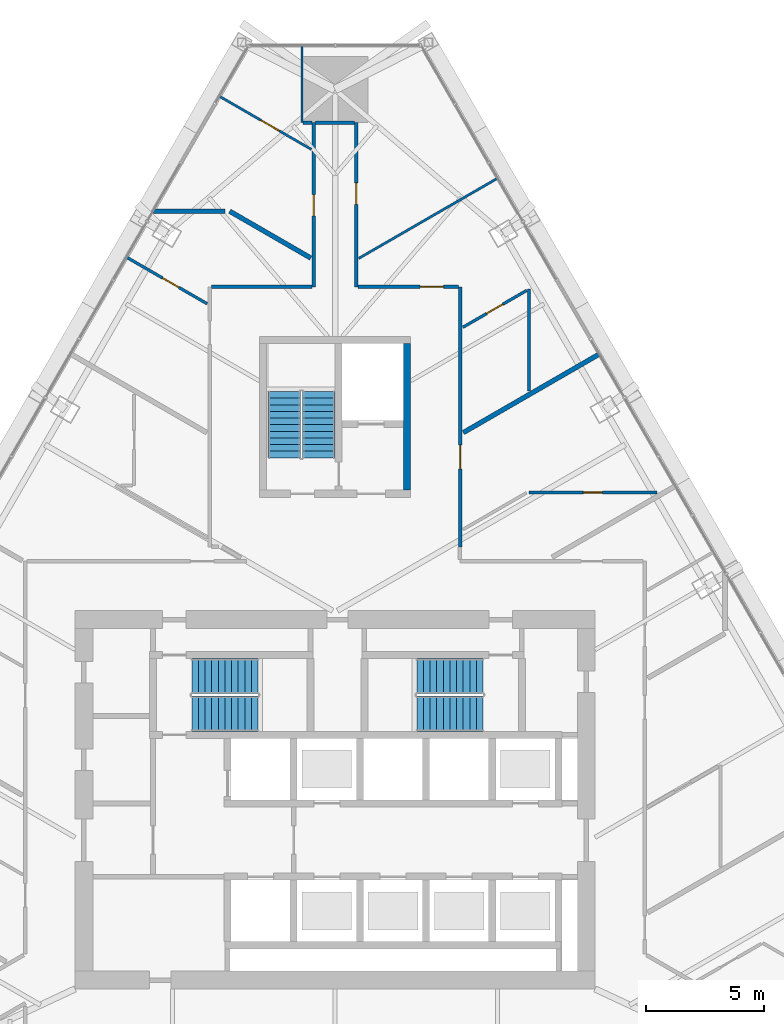
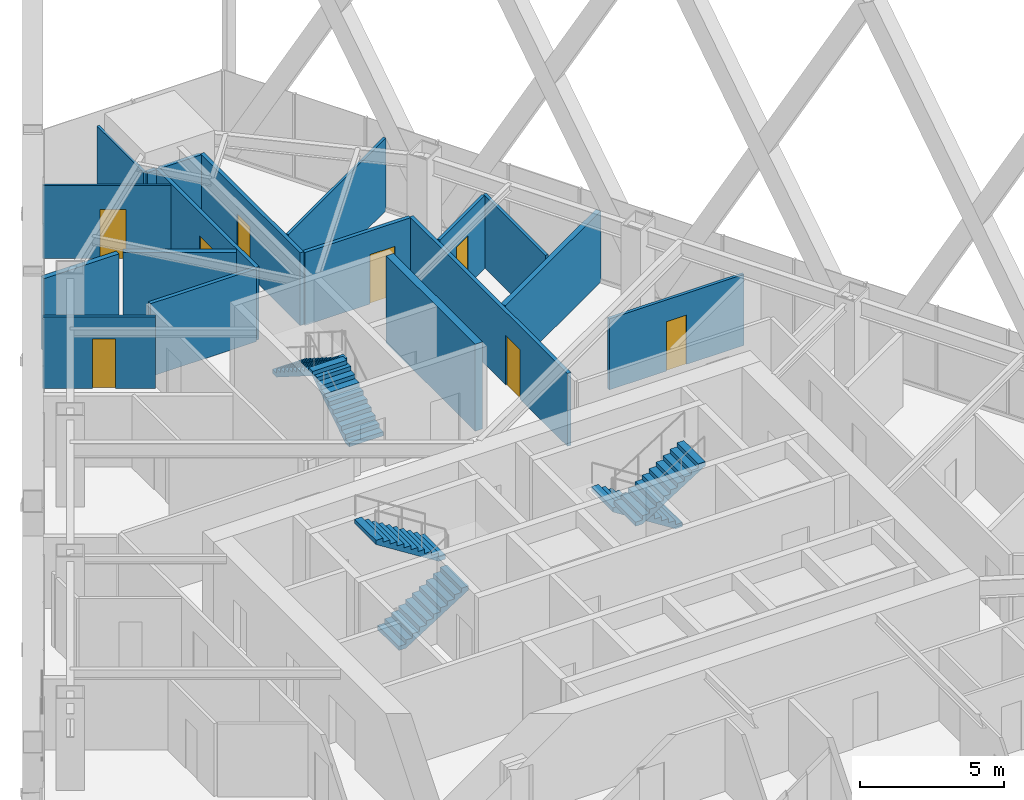
# One storey, part 21 of 23: 18 walls, 8 doors, 6 stair flights, 8 openings, 3 elements without a shape of their own.
"""IFC4 building model written with IfcOpenShell, lengths in metres."""

from ifc_helpers import new_model, si_unit, direction, frame, frame_2d, origin, place, context, subcontext, project, spatial, polyline, rectangle, outline, extrude, material, layer, layer_set, type_object, element, fill, aggregate, save


model = new_model("IFC4")

# Units and contexts
model_context = context("Model", 3, precision=1e-05, world=origin(), true_north=direction((0.0, 1.0)))
body_context = subcontext(model_context, "Body", "Model", "MODEL_VIEW")
ifc_project = project(units=[si_unit("LENGTHUNIT", "METRE"), si_unit("AREAUNIT", "SQUARE_METRE"), si_unit("VOLUMEUNIT", "CUBIC_METRE"), si_unit("PLANEANGLEUNIT", "RADIAN"), si_unit("MASSUNIT", "GRAM", prefix="KILO")], contexts=[model_context])

# Site, building, storey
site_placement = place(None, origin())
site = spatial("IfcSite", under=ifc_project, at=site_placement, CompositionType="ELEMENT")
building_placement = place(site_placement, origin())
building = spatial("IfcBuilding", under=site, at=building_placement, Name="Firuza Gate Tower and Library", CompositionType="ELEMENT")
storey_placement = place(building_placement, frame((0.0, 0.0, 202.60009765625)))
storey = spatial("IfcBuildingStorey", under=building, at=storey_placement, Name="L47", CompositionType="ELEMENT", Elevation=202.60009765625)

# Walls
ifc_material_1 = material(Name="Concrete C80/95", Category="concrete")
ifc_layer_1 = layer(ifc_material_1, 0.300048828125)
ifc_layer_set_1 = layer_set([ifc_layer_1], Name="Core wall 300 C80/95")
wall_type_1 = type_object("IfcWallType", Name="Core wall 300 C80/95", PredefinedType="SHEAR", material=ifc_layer_set_1)
wall_1_placement = place(storey_placement, frame((78.050048828125, 88.10009765625, 0.0), z_axis=(0.0, 0.0, 1.0), x_axis=(0.0, 1.0, 0.0)))
element("IfcWall", 1, at=wall_1_placement, inside=storey, type_object=wall_type_1, Name="Core wall L47 30", PredefinedType="SHEAR", context=body_context, shape_type="SweptSolid", body=[
    extrude(rectangle(XDim=6.199951171875, YDim=0.300048828125, at=frame_2d((3.10009765625, 0.0))), origin(), (0.0, 0.0, 1.0), 3.699951171875),
])
ifc_material_2 = material(Name="Gypsum board partition")
ifc_layer_2 = layer(ifc_material_2, 0.14990234375)
ifc_layer_set_2 = layer_set([ifc_layer_2], Name="Corridor wall 150 double board on steel studs")
wall_type_2 = type_object("IfcWallType", Name="Corridor wall 150 double board on steel studs", PredefinedType="PARTITIONING", material=ifc_layer_set_2)
wall_2_placement = place(storey_placement, frame((69.775390625, 96.699951171875, 0.0), z_axis=(0.0, 0.0, 1.0), x_axis=(1.0, 0.0, 0.0)))
element("IfcWall", 2, at=wall_2_placement, inside=storey, type_object=wall_type_2, Name="f:L47:w014", PredefinedType="PARTITIONING", context=body_context, shape_type="SweptSolid", body=[
    extrude(rectangle(XDim=4.24951171875, YDim=0.14990234375, at=frame_2d((2.124755859375, 0.0))), origin(), (0.0, 0.0, 1.0), 3.099853515625),
])

# Wall, opening, door
wall_3_placement = place(storey_placement, frame((75.97509765625, 96.699951171875, 0.0), z_axis=(0.0, 0.0, 1.0), x_axis=(1.0, 0.0, 0.0)))
wall_3 = element("IfcWall", 3, at=wall_3_placement, inside=storey, type_object=wall_type_2, Name="f:L47:w015", PredefinedType="PARTITIONING", context=body_context, shape_type="SweptSolid", body=[
    extrude(rectangle(XDim=4.24951171875, YDim=0.14990234375, at=frame_2d((2.124755859375, 0.0))), origin(), (0.0, 0.0, 1.0), 3.099853515625),
])
opening_1_placement = place(wall_3_placement, frame((2.6220703125, 0.0, 0.0)))
opening_1 = element("IfcOpeningElement", 4, at=opening_1_placement, cuts=wall_3, Name="Opening L47-12", PredefinedType="OPENING", context=body_context, shape_type="SweptSolid", body=[
    extrude(rectangle(XDim=1.0, YDim=2.10009765625, at=frame_2d((0.5, 1.050048828125))), frame((0.0, 0.0849609375, 0.0), z_axis=(0.0, -1.0, 0.0), x_axis=(1.0, 0.0, 0.0)), (0.0, 0.0, 1.0), 0.169921875),
])
ifc_material_3 = material(Name="Steel door and timber leaf", Category="steel")
door_type_1 = type_object("IfcDoorType", Name="Fire door 1000 x 2100 steel frame, timber leaf", OperationType="NOTDEFINED", PredefinedType="DOOR", material=ifc_material_3)
door_1_placement = place(opening_1_placement, origin())
door_1 = element("IfcDoor", 5, at=door_1_placement, inside=storey, type_object=door_type_1, Name="f:L47:d012", OperationType="SINGLE_SWING_LEFT", OverallHeight=2.10009765625, OverallWidth=1.0, PredefinedType="DOOR", context=body_context, shape_type="SweptSolid", body=[
    extrude(rectangle(XDim=1.0, YDim=2.10009765625, at=frame_2d((0.5, 1.050048828125))), frame((0.0, 0.02490234375, 0.0), z_axis=(0.0, -1.0, 0.0), x_axis=(1.0, 0.0, 0.0)), (0.0, 0.0, 1.0), 0.050048828125),
])
fill(opening_1, door_1)

# Wall
wall_4_placement = place(storey_placement, frame((73.650390625, 103.64794921875, 0.0), z_axis=(0.0, 0.0, 1.0), x_axis=(1.0, 0.0, 0.0)))
element("IfcWall", 6, at=wall_4_placement, inside=storey, type_object=wall_type_2, Name="f:L47:w017", PredefinedType="PARTITIONING", context=body_context, shape_type="SweptSolid", body=[
    extrude(rectangle(XDim=0.37451171875, YDim=0.14990234375, at=frame_2d((0.187255859375, 0.0))), origin(), (0.0, 0.0, 1.0), 3.099853515625),
])

# Wall, opening, door
wall_5_placement = place(storey_placement, frame((80.300048828125, 96.699462890625, 0.0), z_axis=(0.0, 0.0, 1.0), x_axis=(0.0, -1.0, 0.0)))
wall_5 = element("IfcWall", 7, at=wall_5_placement, inside=storey, type_object=wall_type_2, Name="f:L47:w050", PredefinedType="PARTITIONING", context=body_context, shape_type="SweptSolid", body=[
    extrude(rectangle(XDim=10.9990234375, YDim=0.14990234375, at=frame_2d((5.49951171875, 0.0))), origin(), (0.0, 0.0, 1.0), 3.096923828125),
])
opening_2_placement = place(wall_5_placement, frame((6.697021484375, 0.0, 0.0)))
opening_2 = element("IfcOpeningElement", 8, at=opening_2_placement, cuts=wall_5, Name="Opening L47-27", PredefinedType="OPENING", context=body_context, shape_type="SweptSolid", body=[
    extrude(rectangle(XDim=1.0, YDim=2.10009765625, at=frame_2d((0.5, 1.050048828125))), frame((0.0, 0.0849609375, 0.0), z_axis=(0.0, -1.0, 0.0), x_axis=(1.0, 0.0, 0.0)), (0.0, 0.0, 1.0), 0.169921875),
])
door_2_placement = place(opening_2_placement, origin())
door_2 = element("IfcDoor", 9, at=door_2_placement, inside=storey, type_object=door_type_1, Name="f:L47:d027", OperationType="SINGLE_SWING_RIGHT", OverallHeight=2.10009765625, OverallWidth=1.0, PredefinedType="DOOR", context=body_context, shape_type="SweptSolid", body=[
    extrude(rectangle(XDim=1.0, YDim=2.10009765625, at=frame_2d((0.5, 1.050048828125))), frame((0.0, 0.02490234375, 0.0), z_axis=(0.0, -1.0, 0.0), x_axis=(1.0, 0.0, 0.0)), (0.0, 0.0, 1.0), 0.050048828125),
])
fill(opening_2, door_2)

wall_6_placement = place(storey_placement, frame((75.89990234375, 103.6474609375, 0.0), z_axis=(0.0, 0.0, 1.0), x_axis=(0.0, -1.0, 0.0)))
wall_6 = element("IfcWall", 10, at=wall_6_placement, inside=storey, type_object=wall_type_2, Name="f:L47:w053", PredefinedType="PARTITIONING", context=body_context, shape_type="SweptSolid", body=[
    extrude(rectangle(XDim=6.947509765625, YDim=0.14990234375, at=frame_2d((3.4736328125, 0.0))), origin(), (0.0, 0.0, 1.0), 3.099853515625),
])
opening_3_placement = place(wall_6_placement, frame((2.5517578125, 0.0, 0.0)))
opening_3 = element("IfcOpeningElement", 11, at=opening_3_placement, cuts=wall_6, Name="Opening L47-28", PredefinedType="OPENING", context=body_context, shape_type="SweptSolid", body=[
    extrude(rectangle(XDim=0.89990234375, YDim=2.10009765625, at=frame_2d((0.449951171875, 1.050048828125))), frame((0.0, 0.0849609375, 0.0), z_axis=(0.0, -1.0, 0.0), x_axis=(1.0, 0.0, 0.0)), (0.0, 0.0, 1.0), 0.169921875),
])
ifc_material_4 = material(Name="Steel door and timber leaf", Category="steel")
door_type_2 = type_object("IfcDoorType", Name="Fire door 900 x 2100 steel frame, timber leaf", OperationType="NOTDEFINED", PredefinedType="DOOR", material=ifc_material_4)
door_3_placement = place(opening_3_placement, origin())
door_3 = element("IfcDoor", 12, at=door_3_placement, inside=storey, type_object=door_type_2, Name="f:L47:d028", OperationType="SINGLE_SWING_RIGHT", OverallHeight=2.10009765625, OverallWidth=0.89990234375, PredefinedType="DOOR", context=body_context, shape_type="SweptSolid", body=[
    extrude(rectangle(XDim=0.89990234375, YDim=2.10009765625, at=frame_2d((0.449951171875, 1.050048828125))), frame((0.0, 0.02490234375, 0.0), z_axis=(0.0, -1.0, 0.0), x_axis=(1.0, 0.0, 0.0)), (0.0, 0.0, 1.0), 0.050048828125),
])
fill(opening_3, door_3)

wall_7_placement = place(storey_placement, frame((74.10009765625, 96.699951171875, 0.0), z_axis=(0.0, 0.0, 1.0), x_axis=(0.0, 1.0, 0.0)))
wall_7 = element("IfcWall", 13, at=wall_7_placement, inside=storey, type_object=wall_type_2, Name="f:L47:w055", PredefinedType="PARTITIONING", context=body_context, shape_type="SweptSolid", body=[
    extrude(rectangle(XDim=6.947998046875, YDim=0.14990234375, at=frame_2d((3.47412109375, 0.0))), origin(), (0.0, 0.0, 1.0), 3.099853515625),
])
opening_4_placement = place(wall_7_placement, frame((3.002197265625, 0.0, 0.0)))
opening_4 = element("IfcOpeningElement", 14, at=opening_4_placement, cuts=wall_7, Name="Opening L47-29", PredefinedType="OPENING", context=body_context, shape_type="SweptSolid", body=[
    extrude(rectangle(XDim=0.89990234375, YDim=2.10009765625, at=frame_2d((0.449951171875, 1.050048828125))), frame((0.0, 0.0849609375, 0.0), z_axis=(0.0, -1.0, 0.0), x_axis=(1.0, 0.0, 0.0)), (0.0, 0.0, 1.0), 0.169921875),
])
door_4_placement = place(opening_4_placement, origin())
door_4 = element("IfcDoor", 15, at=door_4_placement, inside=storey, type_object=door_type_2, Name="f:L47:d029", OperationType="SINGLE_SWING_LEFT", OverallHeight=2.10009765625, OverallWidth=0.89990234375, PredefinedType="DOOR", context=body_context, shape_type="SweptSolid", body=[
    extrude(rectangle(XDim=0.89990234375, YDim=2.10009765625, at=frame_2d((0.449951171875, 1.050048828125))), frame((0.0, 0.02490234375, 0.0), z_axis=(0.0, -1.0, 0.0), x_axis=(1.0, 0.0, 0.0)), (0.0, 0.0, 1.0), 0.050048828125),
])
fill(opening_4, door_4)

# Walls
wall_8_placement = place(storey_placement, frame((74.175048828125, 103.64794921875, 0.0), z_axis=(0.0, 0.0, 1.0), x_axis=(1.0, 0.0, 0.0)))
element("IfcWall", 16, at=wall_8_placement, inside=storey, type_object=wall_type_2, Name="f:L47:w095", PredefinedType="PARTITIONING", context=body_context, shape_type="SweptSolid", body=[
    extrude(rectangle(XDim=1.6494140625, YDim=0.14990234375, at=frame_2d((0.82470703125, 0.0))), origin(), (0.0, 0.0, 1.0), 3.096923828125),
])
ifc_material_5 = material(Name="Gypsum board partition")
ifc_layer_3 = layer(ifc_material_5, 0.199951171875)
ifc_layer_set_3 = layer_set([ifc_layer_3], Name="Demising wall 200 acoustic double stud")
wall_type_3 = type_object("IfcWallType", Name="Demising wall 200 acoustic double stud", PredefinedType="PARTITIONING", material=ifc_layer_set_3)
wall_9_placement = place(storey_placement, frame((67.3193359375, 99.89990234375, 0.0), z_axis=(0.0, 0.0, 1.0), x_axis=(1.0, 0.0, 0.0)))
element("IfcWall", 17, at=wall_9_placement, inside=storey, type_object=wall_type_3, Name="f:L47:w016", PredefinedType="PARTITIONING", context=body_context, shape_type="SweptSolid", body=[
    extrude(rectangle(XDim=3.0244140625, YDim=0.199951171875, at=frame_2d((1.51220703125, 0.0))), origin(), (0.0, 0.0, 1.0), 3.099853515625),
])
wall_10_placement = place(storey_placement, frame((80.427001953125, 90.537109375, 0.0), z_axis=(0.0, 0.0, 1.0), x_axis=(0.866026229868, 0.499998569178, 0.0)))
element("IfcWall", 18, at=wall_10_placement, inside=storey, type_object=wall_type_3, Name="f:L47:w034", PredefinedType="PARTITIONING", context=body_context, shape_type="SweptSolid", body=[
    extrude(rectangle(XDim=6.63330078125, YDim=0.199951171875, at=frame_2d((3.316650390625, 0.0))), origin(), (0.0, 0.0, 1.0), 3.02197265625),
])
wall_11_placement = place(storey_placement, frame((73.97314453125, 97.920166015625, 0.0), z_axis=(0.0, 0.0, 1.0), x_axis=(-0.866011036969, 0.500024883228, 0.0)))
element("IfcWall", 19, at=wall_11_placement, inside=storey, type_object=wall_type_3, Name="f:L47:w076", PredefinedType="PARTITIONING", context=body_context, shape_type="SweptSolid", body=[
    extrude(rectangle(XDim=3.959716796875, YDim=0.199951171875, at=frame_2d((1.97998046875, 0.0))), origin(), (0.0, 0.0, 1.0), 3.099853515625),
])
ifc_material_6 = material(Name="Gypsum board partition")
ifc_layer_4 = layer(ifc_material_6, 0.10009765625)
ifc_layer_set_4 = layer_set([ifc_layer_4], Name="Partition 100 gypsum board on steel studs")
wall_type_4 = type_object("IfcWallType", Name="Partition 100 gypsum board on steel studs", PredefinedType="PARTITIONING", material=ifc_layer_set_4)
wall_12_placement = place(storey_placement, frame((76.0009765625, 97.9052734375, 0.0), z_axis=(0.0, 0.0, 1.0), x_axis=(0.866023732449, 0.500002894826, 0.0)))
element("IfcWall", 20, at=wall_12_placement, inside=storey, type_object=wall_type_4, Name="f:L47:w036", PredefinedType="PARTITIONING", context=body_context, shape_type="SweptSolid", body=[
    extrude(rectangle(XDim=6.7822265625, YDim=0.10009765625, at=frame_2d((3.39111328125, 0.0))), origin(), (0.0, 0.0, 1.0), 3.099853515625),
])
wall_13_placement = place(storey_placement, frame((73.60009765625, 103.6484375, 0.0), z_axis=(0.0, 0.0, 1.0), x_axis=(0.0, 1.0, 0.0)))
element("IfcWall", 21, at=wall_13_placement, inside=storey, type_object=wall_type_4, Name="f:L47:w057", PredefinedType="PARTITIONING", context=body_context, shape_type="SweptSolid", body=[
    extrude(rectangle(XDim=3.259521484375, YDim=0.10009765625, at=frame_2d((1.6298828125, 0.0))), origin(), (0.0, 0.0, 1.0), 3.099853515625),
])

# Wall, opening, door
wall_14_placement = place(storey_placement, frame((73.999267578125, 102.515869140625, 0.0), z_axis=(0.0, 0.0, 1.0), x_axis=(-0.866023033614, 0.500004105233, 0.0)))
wall_14 = element("IfcWall", 22, at=wall_14_placement, inside=storey, type_object=wall_type_4, Name="f:L47:w075", PredefinedType="PARTITIONING", context=body_context, shape_type="SweptSolid", body=[
    extrude(rectangle(XDim=4.47705078125, YDim=0.10009765625, at=frame_2d((2.238525390625, 0.0))), origin(), (0.0, 0.0, 1.0), 3.099853515625),
])
opening_5_placement = place(wall_14_placement, frame((1.570068359375, 0.0, 0.0)))
opening_5 = element("IfcOpeningElement", 23, at=opening_5_placement, cuts=wall_14, Name="Opening L47-37", PredefinedType="OPENING", context=body_context, shape_type="SweptSolid", body=[
    extrude(rectangle(XDim=0.89990234375, YDim=2.10009765625, at=frame_2d((0.449951171875, 1.050048828125))), frame((0.0, 0.06005859375, 0.0), z_axis=(0.0, -1.0, 0.0), x_axis=(1.0, 0.0, 0.0)), (0.0, 0.0, 1.0), 0.1201171875),
])
ifc_material_7 = material(Name="Timber door", Category="wood")
door_type_3 = type_object("IfcDoorType", Name="Door 900 x 2100 timber leaf", OperationType="NOTDEFINED", PredefinedType="DOOR", material=ifc_material_7)
door_5_placement = place(opening_5_placement, origin())
door_5 = element("IfcDoor", 24, at=door_5_placement, inside=storey, type_object=door_type_3, Name="f:L47:d037", OperationType="SINGLE_SWING_RIGHT", OverallHeight=2.10009765625, OverallWidth=0.89990234375, PredefinedType="DOOR", context=body_context, shape_type="SweptSolid", body=[
    extrude(rectangle(XDim=0.89990234375, YDim=2.10009765625, at=frame_2d((0.449951171875, 1.050048828125))), frame((0.0, 0.02490234375, 0.0), z_axis=(0.0, -1.0, 0.0), x_axis=(1.0, 0.0, 0.0)), (0.0, 0.0, 1.0), 0.050048828125),
])
fill(opening_5, door_5)

ifc_material_8 = material(Name="Gypsum board partition")
ifc_layer_5 = layer(ifc_material_8, 0.1201171875)
ifc_layer_set_5 = layer_set([ifc_layer_5], Name="Wet-area partition 120 moisture-resistant board")
wall_type_5 = type_object("IfcWallType", Name="Wet-area partition 120 moisture-resistant board", PredefinedType="PARTITIONING", material=ifc_layer_set_5)
wall_15_placement = place(storey_placement, frame((88.61279296875, 88.0, 0.0), z_axis=(0.0, 0.0, 1.0), x_axis=(-1.0, 0.0, 0.0)))
wall_15 = element("IfcWall", 25, at=wall_15_placement, inside=storey, type_object=wall_type_5, Name="f:L47:w012", PredefinedType="PARTITIONING", context=body_context, shape_type="SweptSolid", body=[
    extrude(rectangle(XDim=5.412353515625, YDim=0.1201171875, at=frame_2d((2.7060546875, 0.0))), origin(), (0.0, 0.0, 1.0), 3.02197265625),
])
opening_6_placement = place(wall_15_placement, frame((2.30615234375, 0.0, 0.0)))
opening_6 = element("IfcOpeningElement", 26, at=opening_6_placement, cuts=wall_15, Name="Opening L47-11", PredefinedType="OPENING", context=body_context, shape_type="SweptSolid", body=[
    extrude(rectangle(XDim=0.800048828125, YDim=2.10009765625, at=frame_2d((0.39990234375, 1.050048828125))), frame((0.0, 0.070068359375, 0.0), z_axis=(0.0, -1.0, 0.0), x_axis=(1.0, 0.0, 0.0)), (0.0, 0.0, 1.0), 0.14013671875),
])
ifc_material_9 = material(Name="Timber door", Category="wood")
door_type_4 = type_object("IfcDoorType", Name="Door 800 x 2100 timber leaf", OperationType="NOTDEFINED", PredefinedType="DOOR", material=ifc_material_9)
door_6_placement = place(opening_6_placement, origin())
door_6 = element("IfcDoor", 27, at=door_6_placement, inside=storey, type_object=door_type_4, Name="f:L47:d011", OperationType="SINGLE_SWING_LEFT", OverallHeight=2.10009765625, OverallWidth=0.800048828125, PredefinedType="DOOR", context=body_context, shape_type="SweptSolid", body=[
    extrude(rectangle(XDim=0.800048828125, YDim=2.10009765625, at=frame_2d((0.39990234375, 1.050048828125))), frame((0.0, 0.02490234375, 0.0), z_axis=(0.0, -1.0, 0.0), x_axis=(1.0, 0.0, 0.0)), (0.0, 0.0, 1.0), 0.050048828125),
])
fill(opening_6, door_6)

wall_16_placement = place(storey_placement, frame((83.10546875, 96.548828125, 0.0), z_axis=(0.0, 0.0, 1.0), x_axis=(-0.866028856698, -0.499994019331, 0.0)))
wall_16 = element("IfcWall", 28, at=wall_16_placement, inside=storey, type_object=wall_type_5, Name="f:L47:w035", PredefinedType="PARTITIONING", context=body_context, shape_type="SweptSolid", body=[
    extrude(rectangle(XDim=3.11279296875, YDim=0.1201171875, at=frame_2d((1.556396484375, 0.0))), origin(), (0.0, 0.0, 1.0), 3.099853515625),
])
opening_7_placement = place(wall_16_placement, frame((1.156494140625, 0.0, 0.0)))
opening_7 = element("IfcOpeningElement", 29, at=opening_7_placement, cuts=wall_16, Name="Opening L47-20", PredefinedType="OPENING", context=body_context, shape_type="SweptSolid", body=[
    extrude(rectangle(XDim=0.800048828125, YDim=2.10009765625, at=frame_2d((0.39990234375, 1.050048828125))), frame((0.0, 0.070068359375, 0.0), z_axis=(0.0, -1.0, 0.0), x_axis=(1.0, 0.0, 0.0)), (0.0, 0.0, 1.0), 0.14013671875),
])
door_7_placement = place(opening_7_placement, origin())
door_7 = element("IfcDoor", 30, at=door_7_placement, inside=storey, type_object=door_type_4, Name="f:L47:d020", OperationType="SINGLE_SWING_LEFT", OverallHeight=2.10009765625, OverallWidth=0.800048828125, PredefinedType="DOOR", context=body_context, shape_type="SweptSolid", body=[
    extrude(rectangle(XDim=0.800048828125, YDim=2.10009765625, at=frame_2d((0.39990234375, 1.050048828125))), frame((0.0, 0.02490234375, 0.0), z_axis=(0.0, -1.0, 0.0), x_axis=(1.0, 0.0, 0.0)), (0.0, 0.0, 1.0), 0.050048828125),
])
fill(opening_7, door_7)

# Wall
wall_17_placement = place(storey_placement, frame((83.199951171875, 92.293701171875, 0.0), z_axis=(0.0, 0.0, 1.0), x_axis=(0.0, 1.0, 0.0)))
element("IfcWall", 31, at=wall_17_placement, inside=storey, type_object=wall_type_5, Name="f:L47:w047", PredefinedType="PARTITIONING", context=body_context, shape_type="SweptSolid", body=[
    extrude(rectangle(XDim=4.31005859375, YDim=0.1201171875, at=frame_2d((2.155029296875, 0.0))), origin(), (0.0, 0.0, 1.0), 3.099853515625),
])

# Wall, opening, door
wall_18_placement = place(storey_placement, frame((66.19189453125, 97.947509765625, 0.0), z_axis=(0.0, 0.0, 1.0), x_axis=(0.866033299124, -0.499986324622, 0.0)))
wall_18 = element("IfcWall", 32, at=wall_18_placement, inside=storey, type_object=wall_type_5, Name="f:L47:w077", PredefinedType="PARTITIONING", context=body_context, shape_type="SweptSolid", body=[
    extrude(rectangle(XDim=3.92431640625, YDim=0.1201171875, at=frame_2d((1.962158203125, 0.0))), origin(), (0.0, 0.0, 1.0), 3.02197265625),
])
opening_8_placement = place(wall_18_placement, frame((1.7421875, 0.0, 0.0)))
opening_8 = element("IfcOpeningElement", 33, at=opening_8_placement, cuts=wall_18, Name="Opening L47-38", PredefinedType="OPENING", context=body_context, shape_type="SweptSolid", body=[
    extrude(rectangle(XDim=0.800048828125, YDim=2.10009765625, at=frame_2d((0.39990234375, 1.050048828125))), frame((0.0, 0.070068359375, 0.0), z_axis=(0.0, -1.0, 0.0), x_axis=(1.0, 0.0, 0.0)), (0.0, 0.0, 1.0), 0.14013671875),
])
door_8_placement = place(opening_8_placement, origin())
door_8 = element("IfcDoor", 34, at=door_8_placement, inside=storey, type_object=door_type_4, Name="f:L47:d038", OperationType="SINGLE_SWING_RIGHT", OverallHeight=2.10009765625, OverallWidth=0.800048828125, PredefinedType="DOOR", context=body_context, shape_type="SweptSolid", body=[
    extrude(rectangle(XDim=0.800048828125, YDim=2.10009765625, at=frame_2d((0.39990234375, 1.050048828125))), frame((0.0, 0.02490234375, 0.0), z_axis=(0.0, -1.0, 0.0), x_axis=(1.0, 0.0, 0.0)), (0.0, 0.0, 1.0), 0.050048828125),
])
fill(opening_8, door_8)

# Stair, stair flights
ifc_material_10 = material(Name="Concrete C35/45", Category="concrete")
stair_type_1 = type_object("IfcStairType", Name="Exit stair ST16", PredefinedType="HALF_TURN_STAIR", material=ifc_material_10)
placement = place(storey_placement, origin())
stair_1 = element("IfcStair", 35, at=placement, inside=storey, type_object=stair_type_1, Name="L47 Stair ST3", PredefinedType="HALF_TURN_STAIR")
ifc_material_11 = material(Name="Concrete C35/45", Category="concrete")
stair_flight_type_1 = type_object("IfcStairFlightType", Name="Stair flight 11 risers 177.3 width 1370", PredefinedType="STRAIGHT", material=ifc_material_11)
stair_flight_1_placement = place(storey_placement, frame((74.31494140625, 89.469970703125, 0.0), z_axis=(0.0, 0.0, 1.0), x_axis=(0.0, 1.0, 0.0)))
stair_flight_1 = element("IfcStairFlight", 36, at=stair_flight_1_placement, type_object=stair_flight_type_1, Name="ST3 flight 1", NumberOfRisers=11, NumberOfTreads=10, PredefinedType="STRAIGHT", RiserHeight=0.177272727, TreadLength=0.28, context=body_context, shape_type="SweptSolid", body=[
    extrude(outline(polyline([(0.0, 0.0), (0.0, 0.17724609375), (0.280029296875, 0.17724609375), (0.280029296875, 0.3544921875), (0.56005859375, 0.3544921875), (0.56005859375, 0.53173828125), (0.840087890625, 0.53173828125), (0.840087890625, 0.708984375), (1.1201171875, 0.708984375), (1.1201171875, 0.886474609375), (1.39990234375, 0.886474609375), (1.39990234375, 1.063720703125), (1.679931640625, 1.063720703125), (1.679931640625, 1.240966796875), (1.9599609375, 1.240966796875), (1.9599609375, 1.418212890625), (2.239990234375, 1.418212890625), (2.239990234375, 1.595458984375), (2.52001953125, 1.595458984375), (2.52001953125, 1.772705078125), (2.800048828125, 1.772705078125), (2.800048828125, 1.949951171875), (2.800048828125, 1.59521484375), (0.2802734375, 0.0), (0.0, 0.0)])), frame((0.0, 0.68505859375, 0.0), z_axis=(0.0, -1.0, 0.0), x_axis=(1.0, 0.0, 0.0)), (0.0, 0.0, 1.0), 1.3701171875),
])
stair_flight_2_placement = place(storey_placement, frame((72.844970703125, 92.27001953125, 1.949951171875), z_axis=(0.0, 0.0, 1.0), x_axis=(0.0, -1.0, 0.0)))
stair_flight_2 = element("IfcStairFlight", 37, at=stair_flight_2_placement, type_object=stair_flight_type_1, Name="ST3 flight 2", NumberOfRisers=11, NumberOfTreads=10, PredefinedType="STRAIGHT", RiserHeight=0.177272727, TreadLength=0.28, context=body_context, shape_type="SweptSolid", body=[
    extrude(outline(polyline([(0.0, 0.0), (0.0, 0.17724609375), (0.280029296875, 0.17724609375), (0.280029296875, 0.3544921875), (0.56005859375, 0.3544921875), (0.56005859375, 0.53173828125), (0.840087890625, 0.53173828125), (0.840087890625, 0.708984375), (1.1201171875, 0.708984375), (1.1201171875, 0.886474609375), (1.39990234375, 0.886474609375), (1.39990234375, 1.063720703125), (1.679931640625, 1.063720703125), (1.679931640625, 1.240966796875), (1.9599609375, 1.240966796875), (1.9599609375, 1.418212890625), (2.239990234375, 1.418212890625), (2.239990234375, 1.595458984375), (2.52001953125, 1.595458984375), (2.52001953125, 1.772705078125), (2.800048828125, 1.772705078125), (2.800048828125, 1.949951171875), (2.800048828125, 1.59521484375), (0.2802734375, 0.0), (0.0, 0.0)])), frame((0.0, 0.68505859375, 0.0), z_axis=(0.0, -1.0, 0.0), x_axis=(1.0, 0.0, 0.0)), (0.0, 0.0, 1.0), 1.3701171875),
])
aggregate(stair_1, [stair_flight_1, stair_flight_2])

ifc_material_12 = material(Name="Concrete C35/45", Category="concrete")
stair_type_2 = type_object("IfcStairType", Name="Exit stair ST7", PredefinedType="HALF_TURN_STAIR", material=ifc_material_12)
stair_2 = element("IfcStair", 38, at=placement, inside=storey, type_object=stair_type_2, Name="L47 Stair ST1", PredefinedType="HALF_TURN_STAIR")
ifc_material_13 = material(Name="Concrete C35/45", Category="concrete")
stair_flight_type_2 = type_object("IfcStairFlightType", Name="Stair flight 11 risers 177.3 width 1490", PredefinedType="STRAIGHT", material=ifc_material_13)
stair_flight_3_placement = place(storey_placement, frame((68.93994140625, 78.64501953125, 0.0), z_axis=(0.0, 0.0, 1.0), x_axis=(1.0, 0.0, 0.0)))
stair_flight_3 = element("IfcStairFlight", 39, at=stair_flight_3_placement, type_object=stair_flight_type_2, Name="ST1 flight 1", NumberOfRisers=11, NumberOfTreads=10, PredefinedType="STRAIGHT", RiserHeight=0.177272727, TreadLength=0.28, context=body_context, shape_type="SweptSolid", body=[
    extrude(outline(polyline([(0.0, 0.0), (0.0, 0.17724609375), (0.280029296875, 0.17724609375), (0.280029296875, 0.3544921875), (0.56005859375, 0.3544921875), (0.56005859375, 0.53173828125), (0.840087890625, 0.53173828125), (0.840087890625, 0.708984375), (1.1201171875, 0.708984375), (1.1201171875, 0.886474609375), (1.39990234375, 0.886474609375), (1.39990234375, 1.063720703125), (1.679931640625, 1.063720703125), (1.679931640625, 1.240966796875), (1.9599609375, 1.240966796875), (1.9599609375, 1.418212890625), (2.239990234375, 1.418212890625), (2.239990234375, 1.595458984375), (2.52001953125, 1.595458984375), (2.52001953125, 1.772705078125), (2.800048828125, 1.772705078125), (2.800048828125, 1.949951171875), (2.800048828125, 1.59521484375), (0.2802734375, 0.0), (0.0, 0.0)])), frame((0.0, 0.7451171875, 0.0), z_axis=(0.0, -1.0, 0.0), x_axis=(1.0, 0.0, 0.0)), (0.0, 0.0, 1.0), 1.489990234375),
])
stair_flight_4_placement = place(storey_placement, frame((71.739990234375, 80.235107421875, 1.949951171875), z_axis=(0.0, 0.0, 1.0), x_axis=(-1.0, 0.0, 0.0)))
stair_flight_4 = element("IfcStairFlight", 40, at=stair_flight_4_placement, type_object=stair_flight_type_2, Name="ST1 flight 2", NumberOfRisers=11, NumberOfTreads=10, PredefinedType="STRAIGHT", RiserHeight=0.177272727, TreadLength=0.28, context=body_context, shape_type="SweptSolid", body=[
    extrude(outline(polyline([(0.0, 0.0), (0.0, 0.17724609375), (0.280029296875, 0.17724609375), (0.280029296875, 0.3544921875), (0.56005859375, 0.3544921875), (0.56005859375, 0.53173828125), (0.840087890625, 0.53173828125), (0.840087890625, 0.708984375), (1.1201171875, 0.708984375), (1.1201171875, 0.886474609375), (1.39990234375, 0.886474609375), (1.39990234375, 1.063720703125), (1.679931640625, 1.063720703125), (1.679931640625, 1.240966796875), (1.9599609375, 1.240966796875), (1.9599609375, 1.418212890625), (2.239990234375, 1.418212890625), (2.239990234375, 1.595458984375), (2.52001953125, 1.595458984375), (2.52001953125, 1.772705078125), (2.800048828125, 1.772705078125), (2.800048828125, 1.949951171875), (2.800048828125, 1.59521484375), (0.2802734375, 0.0), (0.0, 0.0)])), frame((0.0, 0.7451171875, 0.0), z_axis=(0.0, -1.0, 0.0), x_axis=(1.0, 0.0, 0.0)), (0.0, 0.0, 1.0), 1.489990234375),
])
aggregate(stair_2, [stair_flight_3, stair_flight_4])

stair_3 = element("IfcStair", 41, at=placement, inside=storey, type_object=stair_type_2, Name="L47 Stair ST2", PredefinedType="HALF_TURN_STAIR")
stair_flight_5_placement = place(storey_placement, frame((81.260009765625, 80.235107421875, 0.0), z_axis=(0.0, 0.0, 1.0), x_axis=(-1.0, 0.0, 0.0)))
stair_flight_5 = element("IfcStairFlight", 42, at=stair_flight_5_placement, type_object=stair_flight_type_2, Name="ST2 flight 1", NumberOfRisers=11, NumberOfTreads=10, PredefinedType="STRAIGHT", RiserHeight=0.177272727, TreadLength=0.28, context=body_context, shape_type="SweptSolid", body=[
    extrude(outline(polyline([(0.0, 0.0), (0.0, 0.17724609375), (0.280029296875, 0.17724609375), (0.280029296875, 0.3544921875), (0.56005859375, 0.3544921875), (0.56005859375, 0.53173828125), (0.840087890625, 0.53173828125), (0.840087890625, 0.708984375), (1.1201171875, 0.708984375), (1.1201171875, 0.886474609375), (1.39990234375, 0.886474609375), (1.39990234375, 1.063720703125), (1.679931640625, 1.063720703125), (1.679931640625, 1.240966796875), (1.9599609375, 1.240966796875), (1.9599609375, 1.418212890625), (2.239990234375, 1.418212890625), (2.239990234375, 1.595458984375), (2.52001953125, 1.595458984375), (2.52001953125, 1.772705078125), (2.800048828125, 1.772705078125), (2.800048828125, 1.949951171875), (2.800048828125, 1.59521484375), (0.2802734375, 0.0), (0.0, 0.0)])), frame((0.0, 0.7451171875, 0.0), z_axis=(0.0, -1.0, 0.0), x_axis=(1.0, 0.0, 0.0)), (0.0, 0.0, 1.0), 1.489990234375),
])
stair_flight_6_placement = place(storey_placement, frame((78.4599609375, 78.64501953125, 1.949951171875), z_axis=(0.0, 0.0, 1.0), x_axis=(1.0, 0.0, 0.0)))
stair_flight_6 = element("IfcStairFlight", 43, at=stair_flight_6_placement, type_object=stair_flight_type_2, Name="ST2 flight 2", NumberOfRisers=11, NumberOfTreads=10, PredefinedType="STRAIGHT", RiserHeight=0.177272727, TreadLength=0.28, context=body_context, shape_type="SweptSolid", body=[
    extrude(outline(polyline([(0.0, 0.0), (0.0, 0.17724609375), (0.280029296875, 0.17724609375), (0.280029296875, 0.3544921875), (0.56005859375, 0.3544921875), (0.56005859375, 0.53173828125), (0.840087890625, 0.53173828125), (0.840087890625, 0.708984375), (1.1201171875, 0.708984375), (1.1201171875, 0.886474609375), (1.39990234375, 0.886474609375), (1.39990234375, 1.063720703125), (1.679931640625, 1.063720703125), (1.679931640625, 1.240966796875), (1.9599609375, 1.240966796875), (1.9599609375, 1.418212890625), (2.239990234375, 1.418212890625), (2.239990234375, 1.595458984375), (2.52001953125, 1.595458984375), (2.52001953125, 1.772705078125), (2.800048828125, 1.772705078125), (2.800048828125, 1.949951171875), (2.800048828125, 1.59521484375), (0.2802734375, 0.0), (0.0, 0.0)])), frame((0.0, 0.7451171875, 0.0), z_axis=(0.0, -1.0, 0.0), x_axis=(1.0, 0.0, 0.0)), (0.0, 0.0, 1.0), 1.489990234375),
])
aggregate(stair_3, [stair_flight_5, stair_flight_6])

save(model, "model.ifc")
